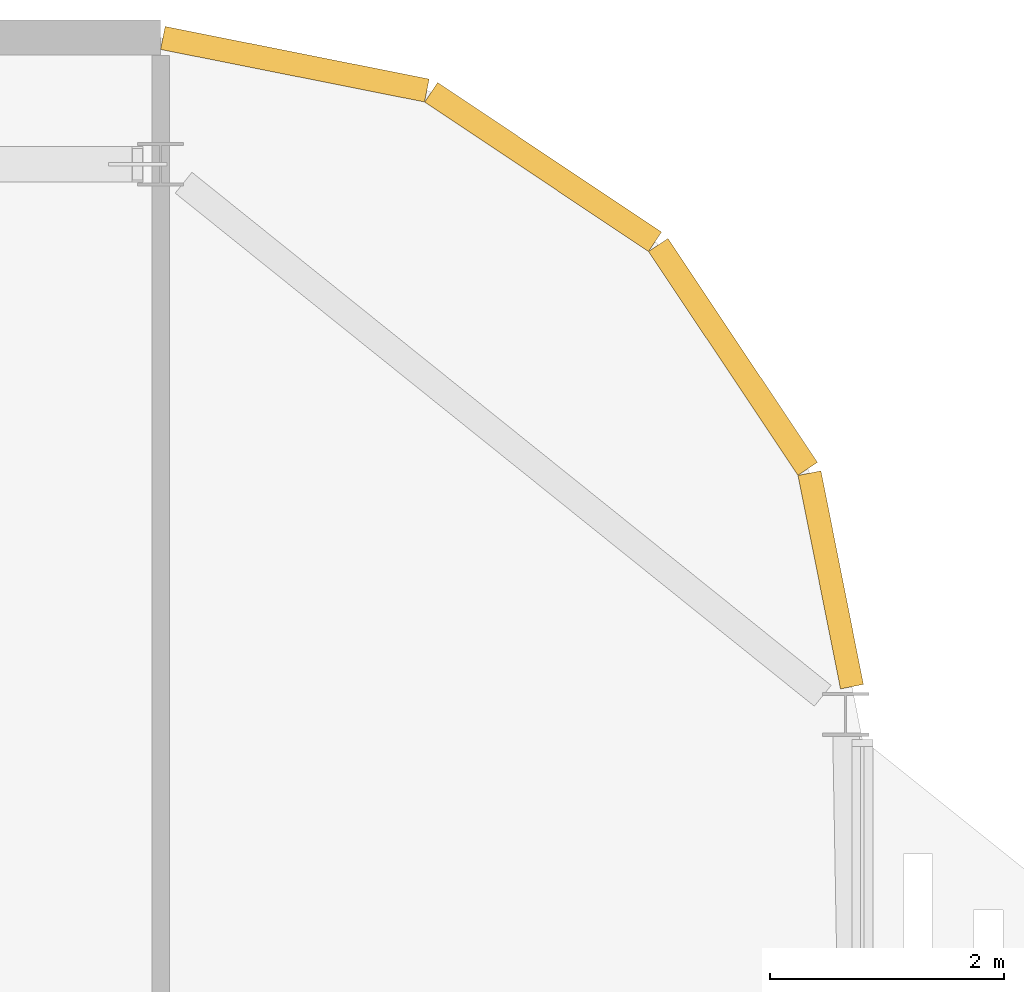
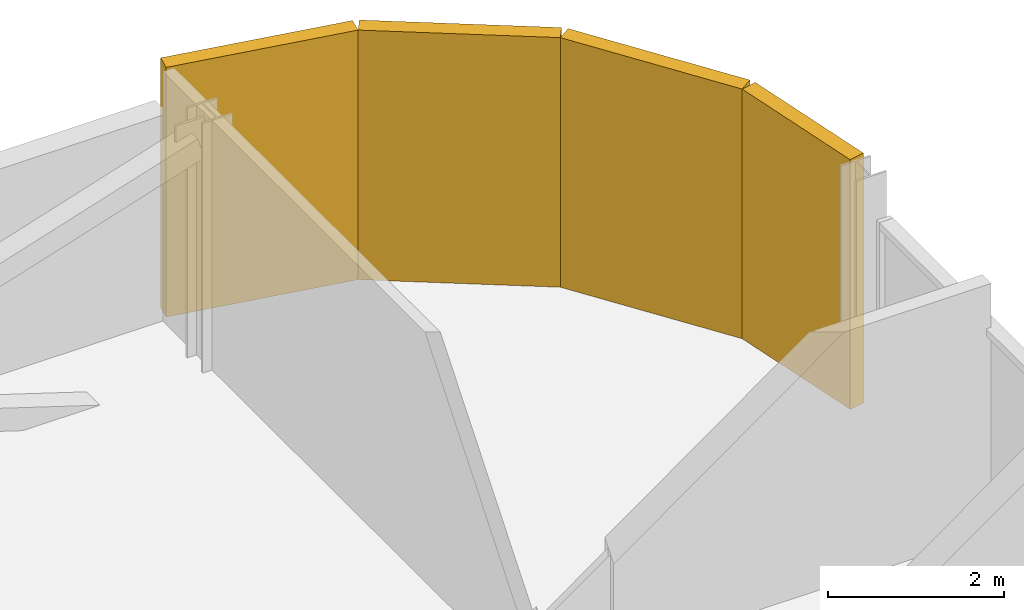
# One storey, part 28 of 28: 4 coverings.
"""IFC4 building model written with IfcOpenShell, lengths in metres."""

from ifc_helpers import new_model, si_unit, direction, frame, origin, origin_2d, place, context, subcontext, project, spatial, rectangle, extrude, material, layer, layer_set, type_object, element, save


model = new_model("IFC4")

# Units and contexts
model_context = context("Model", 3, precision=1e-05, world=origin(), true_north=direction((0.0, 1.0)))
body_context = subcontext(model_context, "Body", "Model", "MODEL_VIEW")
ifc_project = project(units=[si_unit("LENGTHUNIT", "METRE"), si_unit("AREAUNIT", "SQUARE_METRE"), si_unit("VOLUMEUNIT", "CUBIC_METRE"), si_unit("PLANEANGLEUNIT", "RADIAN"), si_unit("MASSUNIT", "GRAM", prefix="KILO")], contexts=[model_context])

# Site, building, storey
site_placement = place(None, origin())
site = spatial("IfcSite", under=ifc_project, at=site_placement, CompositionType="ELEMENT")
building_placement = place(site_placement, origin())
building = spatial("IfcBuilding", under=site, at=building_placement, Name="Mahtab Terrace Research Tower", CompositionType="ELEMENT")
storey_placement = place(building_placement, frame((0.0, 0.0, 270.89990234375)))
storey = spatial("IfcBuildingStorey", under=building, at=storey_placement, Name="L66", CompositionType="ELEMENT", Elevation=270.89990234375)

# Coverings
ifc_material = material(Name="Black aluminium cladding panel", Category="aluminium")
ifc_layer = layer(ifc_material, 0.199951171875)
ifc_layer_set = layer_set([ifc_layer], Name="Black metal corner cladding 200")
covering_type = type_object("IfcCoveringType", Name="Black metal corner cladding 200", PredefinedType="CLADDING", material=ifc_layer_set)
for number, where, z_axis, x_axis, name in (
    (1, (46.89306640625, 22.659423828125, 0.0), (0.0, 0.0, 1.0), (-0.555291490808, 0.831655794326, 0.0), "Corner cladding L66 0"),
    (2, (45.26953125, 24.282958984375, 0.0), (0.0, 0.0, 1.0), (-0.831655794326, 0.555291490808, 0.0), "Corner cladding L66 1"),
    (3, (43.14794921875, 25.16162109375, 0.0), (0.0, 0.0, 1.0), (-0.980760981187, 0.195212442692, 0.0), "Corner cladding L66 2"),
):
    element("IfcCovering", number, at=place(storey_placement, frame(where, z_axis=z_axis, x_axis=x_axis)), inside=storey, type_object=covering_type, Name=name, PredefinedType="CLADDING", context=body_context, shape_type="SweptSolid", body=[
        extrude(rectangle(XDim=2.30126953125, YDim=0.199951171875, at=origin_2d()), origin(), (0.0, 0.0, 1.0), 3.4599609375),
    ])
covering_placement = place(storey_placement, frame((47.728515625, 20.753662109375, 0.0), z_axis=(0.0, 0.0, 1.0), x_axis=(-0.195212442692, 0.980760981187, 0.0)))
element("IfcCovering", 4, at=covering_placement, inside=storey, type_object=covering_type, Name="Corner cladding L66 25", PredefinedType="CLADDING", context=body_context, shape_type="SweptSolid", body=[
    extrude(rectangle(XDim=1.861328125, YDim=0.199951171875, at=origin_2d()), origin(), (0.0, 0.0, 1.0), 3.4599609375),
])

save(model, "model.ifc")
